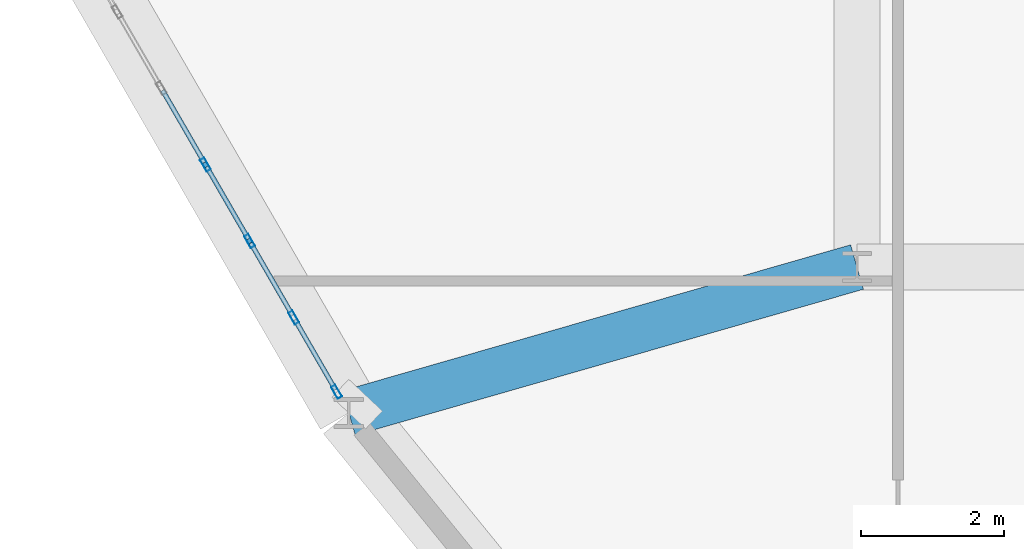
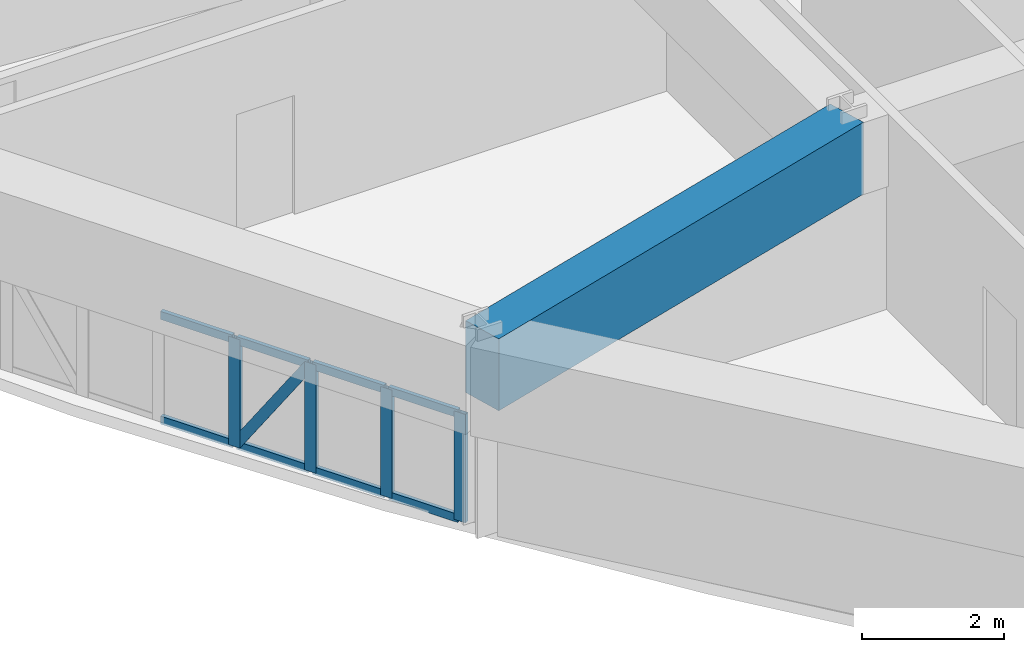
# One storey, part 2 of 13: 13 members, 1 beam, 1 element without a shape of its own.
"""IFC4 building model written with IfcOpenShell, lengths in metres."""

from ifc_helpers import new_model, si_unit, derived_unit, direction, frame, origin, origin_2d, place, context, subcontext, project, spatial, rectangle, hollow_rectangle, extrude, source, transform, mapped, material, layer, layer_set, material_profile, profile_set, type_object, element, aggregate, save


model = new_model("IFC4")

# Units and contexts
model_context = context("Model", 3, precision=1e-05, world=origin(), true_north=direction((0.0, 1.0)))
body_context = subcontext(model_context, "Body", "Model", "MODEL_VIEW")
ifc_project = project(units=[si_unit("LENGTHUNIT", "METRE"), si_unit("AREAUNIT", "SQUARE_METRE"), si_unit("VOLUMEUNIT", "CUBIC_METRE"), si_unit("PLANEANGLEUNIT", "RADIAN"), si_unit("MASSUNIT", "GRAM", prefix="KILO"), derived_unit("THERMALTRANSMITTANCEUNIT", [(si_unit("POWERUNIT", "WATT"), 1), (si_unit("LENGTHUNIT", "METRE"), -2), (si_unit("THERMODYNAMICTEMPERATUREUNIT", "KELVIN"), -1)])], contexts=[model_context])

# Site, building, storey
site_placement = place(None, origin())
site = spatial("IfcSite", under=ifc_project, at=site_placement, CompositionType="ELEMENT")
building_placement = place(site_placement, origin())
building = spatial("IfcBuilding", under=site, at=building_placement, Name="Korsvarv Bourse and Concert Hall", CompositionType="ELEMENT")
storey_placement = place(building_placement, frame((0.0, 0.0, 154.199951171875)))
storey = spatial("IfcBuildingStorey", under=building, at=storey_placement, Name="L39", CompositionType="ELEMENT", Elevation=154.199951171875)

# Beam
ifc_material_1 = material(Name="Concrete C50/60", Category="concrete")
ifc_material_profile_1 = material_profile(ifc_material_1, rectangle(XDim=0.64990234375, YDim=1.239990234375, at=origin_2d()), Name="RC-BM 650x1240")
ifc_profile_set_1 = profile_set([ifc_material_profile_1], Name="Concrete C50/60")
beam_type = type_object("IfcBeamType", Name="BM-TR-SPN", PredefinedType="BEAM", material=ifc_profile_set_1)
shared_shape_1 = source(origin(), body_context, "Body", "SweptSolid", [
    extrude(rectangle(XDim=0.64990234375, YDim=1.239990234375, at=origin_2d()), origin(), (0.0, 0.0, 1.0), 7.4189453125),
])
beam_placement = place(storey_placement, frame((20.469482421875, 21.951904296875, 2.780029296875), z_axis=(0.961139291875, 0.276063872344, 0.0), x_axis=(-0.276063872344, 0.961139291875, 0.0)))
element("IfcBeam", 1, at=beam_placement, inside=storey, type_object=beam_type, Name="L39 beam B-TRS", PredefinedType="BEAM", context=body_context, shape_type="MappedRepresentation", body=[
    mapped(shared_shape_1, transform((0.0, 0.0, 0.0), scale=1.0)),
])

# Curtain wall, members
ifc_material_2 = material(Name="Anodised aluminium and triple low-E glazing", Category="glass")
ifc_layer = layer(ifc_material_2, 0.2099609375)
ifc_layer_set = layer_set([ifc_layer], Name="Anodised aluminium and triple low-E glazing")
curtain_wall_type = type_object("IfcCurtainWallType", Name="CW-SYS-2", PredefinedType="NOTDEFINED", material=ifc_layer_set)
curtain_wall_placement = place(storey_placement, origin())
curtain_wall = element("IfcCurtainWall", 2, at=curtain_wall_placement, inside=storey, type_object=curtain_wall_type, Name="L39 CW2 curtain wall CW-L39-F07", PredefinedType="NOTDEFINED")
ifc_material_3 = material(Name="Extruded aluminium EN AW-6063 T66", Category="aluminium")
ifc_material_profile_2 = material_profile(ifc_material_3, hollow_rectangle(XDim=0.070068359375, YDim=0.18994140625, WallThickness=0.0048828125, at=origin_2d()), Name="ALU-M 70x190")
ifc_profile_set_2 = profile_set([ifc_material_profile_2], Name="Extruded aluminium EN AW-6063 T66")
member_type_1 = type_object("IfcMemberType", Name="CWM-190", PredefinedType="MULLION", material=ifc_profile_set_2)
shared_shape_2 = source(origin(), body_context, "Body", "SweptSolid", [
    extrude(hollow_rectangle(XDim=0.070068359375, YDim=0.18994140625, WallThickness=0.0048828125, at=origin_2d()), origin(), (0.0, 0.0, 1.0), 1.8701171875),
])
member_1_placement = place(storey_placement, frame((18.45751953125, 25.436767578125, 0.0), z_axis=(0.0, 0.0, 1.0), x_axis=(0.866022202013, 0.500005545591, 0.0)))
member_1 = element("IfcMember", 3, at=member_1_placement, type_object=member_type_1, Name="CW2 mullion 8", PredefinedType="MULLION", context=body_context, shape_type="MappedRepresentation", body=[
    mapped(shared_shape_2, transform((0.0, 0.0, 0.0), scale=1.0)),
])
member_2_placement = place(storey_placement, frame((19.076904296875, 24.3642578125, 0.0), z_axis=(0.0, 0.0, 1.0), x_axis=(0.866022202013, 0.500005545591, 0.0)))
member_2 = element("IfcMember", 4, at=member_2_placement, type_object=member_type_1, Name="CW2 mullion 9", PredefinedType="MULLION", context=body_context, shape_type="MappedRepresentation", body=[
    mapped(shared_shape_2, transform((0.0, 0.0, 0.0), scale=1.0)),
])
member_3_placement = place(storey_placement, frame((19.696044921875, 23.291748046875, 0.0), z_axis=(0.0, 0.0, 1.0), x_axis=(0.866022202013, 0.500005545591, 0.0)))
member_3 = element("IfcMember", 5, at=member_3_placement, type_object=member_type_1, Name="CW2 mullion 10", PredefinedType="MULLION", context=body_context, shape_type="MappedRepresentation", body=[
    mapped(shared_shape_2, transform((0.0, 0.0, 0.0), scale=1.0)),
])
member_4_placement = place(storey_placement, frame((20.297607421875, 22.249755859375, 0.0), z_axis=(0.0, 0.0, 1.0), x_axis=(0.866022202013, 0.500005545591, 0.0)))
member_4 = element("IfcMember", 6, at=member_4_placement, type_object=member_type_1, Name="CW2 mullion 11", PredefinedType="MULLION", context=body_context, shape_type="MappedRepresentation", body=[
    mapped(shared_shape_2, transform((0.0, 0.0, 0.0), scale=1.0)),
])
ifc_material_profile_3 = material_profile(ifc_material_3, hollow_rectangle(XDim=0.06494140625, YDim=0.139892578125, WallThickness=0.00390625, at=origin_2d()), Name="ALU-T 65x140")
ifc_profile_set_3 = profile_set([ifc_material_profile_3], Name="Extruded aluminium EN AW-6063 T66")
member_type_2 = type_object("IfcMemberType", Name="CWT-140", PredefinedType="USERDEFINED", material=ifc_profile_set_3)
shared_shape_3 = source(origin(), body_context, "Body", "SweptSolid", [
    extrude(hollow_rectangle(XDim=0.06494140625, YDim=0.139892578125, WallThickness=0.00390625, at=origin_2d()), origin(), (0.0, 0.0, 1.0), 1.168212890625),
])
member_5_placement = place(storey_placement, frame((19.09423828125, 24.333984375, 0.032470703125), z_axis=(0.500072169849, -0.865983732493, 0.0), x_axis=(0.865983732493, 0.500072169849, 0.0)))
member_5 = element("IfcMember", 7, at=member_5_placement, type_object=member_type_2, Name="CW2 transom 9.1", ObjectType="TRANSOM", PredefinedType="USERDEFINED", context=body_context, shape_type="MappedRepresentation", body=[
    mapped(shared_shape_3, transform((0.0, 0.0, 0.0), scale=1.0)),
])
member_6_placement = place(storey_placement, frame((19.09423828125, 24.333984375, 1.837646484375), z_axis=(0.500072169849, -0.865983732493, 0.0), x_axis=(0.865983732493, 0.500072169849, 0.0)))
member_6 = element("IfcMember", 8, at=member_6_placement, type_object=member_type_2, Name="CW2 transom 9.2", ObjectType="TRANSOM", PredefinedType="USERDEFINED", context=body_context, shape_type="MappedRepresentation", body=[
    mapped(shared_shape_3, transform((0.0, 0.0, 0.0), scale=1.0)),
])
shared_shape_4 = source(origin(), body_context, "Body", "SweptSolid", [
    extrude(hollow_rectangle(XDim=0.06494140625, YDim=0.139892578125, WallThickness=0.00390625, at=origin_2d()), origin(), (0.0, 0.0, 1.0), 1.16845703125),
])
member_7_placement = place(storey_placement, frame((17.85595703125, 26.47900390625, 0.032470703125), z_axis=(0.499981686864, -0.86603597662, 0.0), x_axis=(0.86603597662, 0.499981686864, 0.0)))
member_7 = element("IfcMember", 9, at=member_7_placement, type_object=member_type_2, Name="CW2 transom 7.1", ObjectType="TRANSOM", PredefinedType="USERDEFINED", context=body_context, shape_type="MappedRepresentation", body=[
    mapped(shared_shape_4, transform((0.0, 0.0, 0.0), scale=1.0)),
])
member_8_placement = place(storey_placement, frame((17.85595703125, 26.47900390625, 1.837646484375), z_axis=(0.499981686864, -0.86603597662, 0.0), x_axis=(0.86603597662, 0.499981686864, 0.0)))
member_8 = element("IfcMember", 10, at=member_8_placement, type_object=member_type_2, Name="CW2 transom 7.2", ObjectType="TRANSOM", PredefinedType="USERDEFINED", context=body_context, shape_type="MappedRepresentation", body=[
    mapped(shared_shape_4, transform((0.0, 0.0, 0.0), scale=1.0)),
])
member_9_placement = place(storey_placement, frame((18.47509765625, 25.406494140625, 0.032470703125), z_axis=(0.499981686864, -0.86603597662, 0.0), x_axis=(0.86603597662, 0.499981686864, 0.0)))
member_9 = element("IfcMember", 11, at=member_9_placement, type_object=member_type_2, Name="CW2 transom 8.1", ObjectType="TRANSOM", PredefinedType="USERDEFINED", context=body_context, shape_type="MappedRepresentation", body=[
    mapped(shared_shape_4, transform((0.0, 0.0, 0.0), scale=1.0)),
])
member_10_placement = place(storey_placement, frame((18.47509765625, 25.406494140625, 1.837646484375), z_axis=(0.499981686864, -0.86603597662, 0.0), x_axis=(0.86603597662, 0.499981686864, 0.0)))
member_10 = element("IfcMember", 12, at=member_10_placement, type_object=member_type_2, Name="CW2 transom 8.2", ObjectType="TRANSOM", PredefinedType="USERDEFINED", context=body_context, shape_type="MappedRepresentation", body=[
    mapped(shared_shape_4, transform((0.0, 0.0, 0.0), scale=1.0)),
])
ifc_material_profile_4 = material_profile(ifc_material_3, hollow_rectangle(XDim=0.06494140625, YDim=0.1650390625, WallThickness=0.0048828125, at=origin_2d()), Name="ALU-M 65x165")
ifc_profile_set_4 = profile_set([ifc_material_profile_4], Name="Extruded aluminium EN AW-6063 T66")
member_type_3 = type_object("IfcMemberType", Name="CWM-165", PredefinedType="MULLION", material=ifc_profile_set_4)
shared_shape_5 = source(origin(), body_context, "Body", "SweptSolid", [
    extrude(hollow_rectangle(XDim=0.06494140625, YDim=0.1650390625, WallThickness=0.0048828125, at=origin_2d()), origin(), (0.0, 0.0, 1.0), 2.095947265625),
])
member_11_placement = place(storey_placement, frame((18.47509765625, 25.406494140625, 0.06494140625), z_axis=(0.278743168056, -0.482820907478, 0.830172402314), x_axis=(0.86603597662, 0.499981686864, 0.0)))
member_11 = element("IfcMember", 13, at=member_11_placement, type_object=member_type_3, Name="CW2 diagonal mullion 8", PredefinedType="MULLION", context=body_context, shape_type="MappedRepresentation", body=[
    mapped(shared_shape_5, transform((0.0, 0.0, 0.0), scale=1.0)),
])
shared_shape_6 = source(origin(), body_context, "Body", "SweptSolid", [
    extrude(hollow_rectangle(XDim=0.06494140625, YDim=0.139892578125, WallThickness=0.00390625, at=origin_2d()), origin(), (0.0, 0.0, 1.0), 1.13330078125),
])
member_12_placement = place(storey_placement, frame((19.71337890625, 23.261474609375, 0.032470703125), z_axis=(0.500169931485, -0.865927271564, 0.0), x_axis=(0.865927271564, 0.500169931485, 0.0)))
member_12 = element("IfcMember", 14, at=member_12_placement, type_object=member_type_2, Name="CW2 transom 10.1", ObjectType="TRANSOM", PredefinedType="USERDEFINED", context=body_context, shape_type="MappedRepresentation", body=[
    mapped(shared_shape_6, transform((0.0, 0.0, 0.0), scale=1.0)),
])
member_13_placement = place(storey_placement, frame((19.71337890625, 23.261474609375, 1.837646484375), z_axis=(0.500169931485, -0.865927271564, 0.0), x_axis=(0.865927271564, 0.500169931485, 0.0)))
member_13 = element("IfcMember", 15, at=member_13_placement, type_object=member_type_2, Name="CW2 transom 10.2", ObjectType="TRANSOM", PredefinedType="USERDEFINED", context=body_context, shape_type="MappedRepresentation", body=[
    mapped(shared_shape_6, transform((0.0, 0.0, 0.0), scale=1.0)),
])
aggregate(curtain_wall, [member_1, member_2, member_3, member_4, member_7, member_8, member_9, member_10, member_11, member_5, member_6, member_12, member_13])

save(model, "model.ifc")
